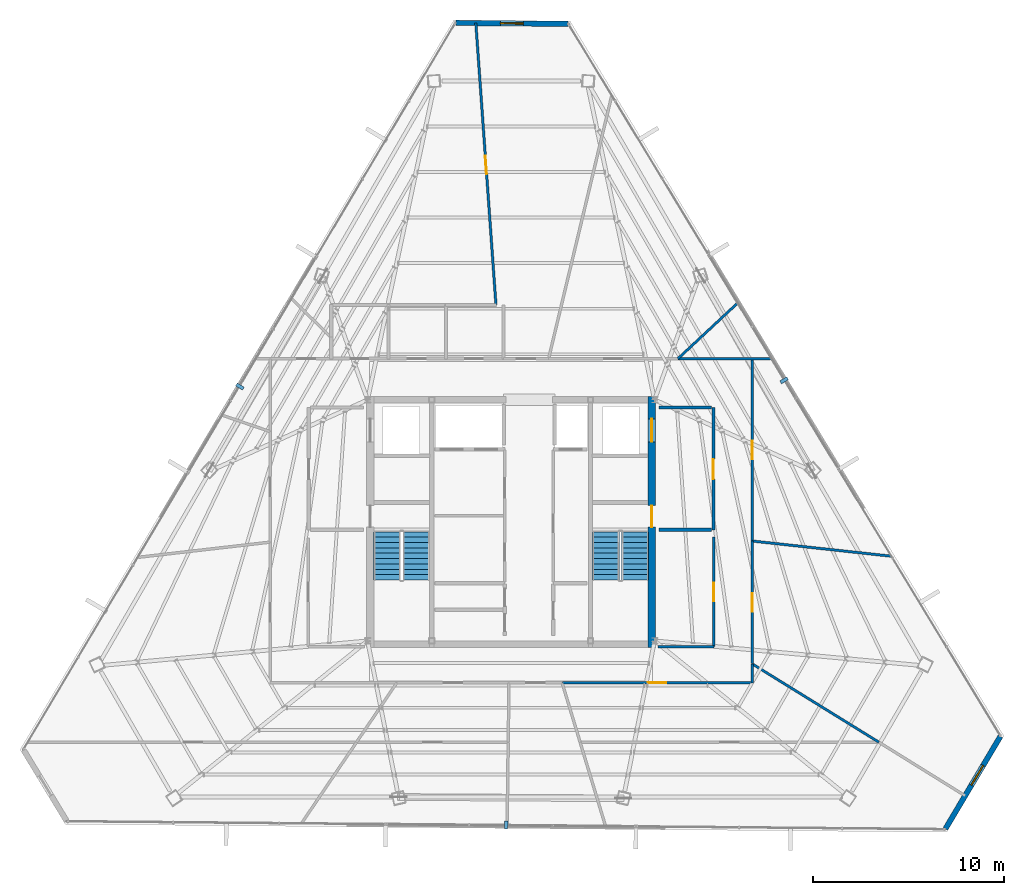
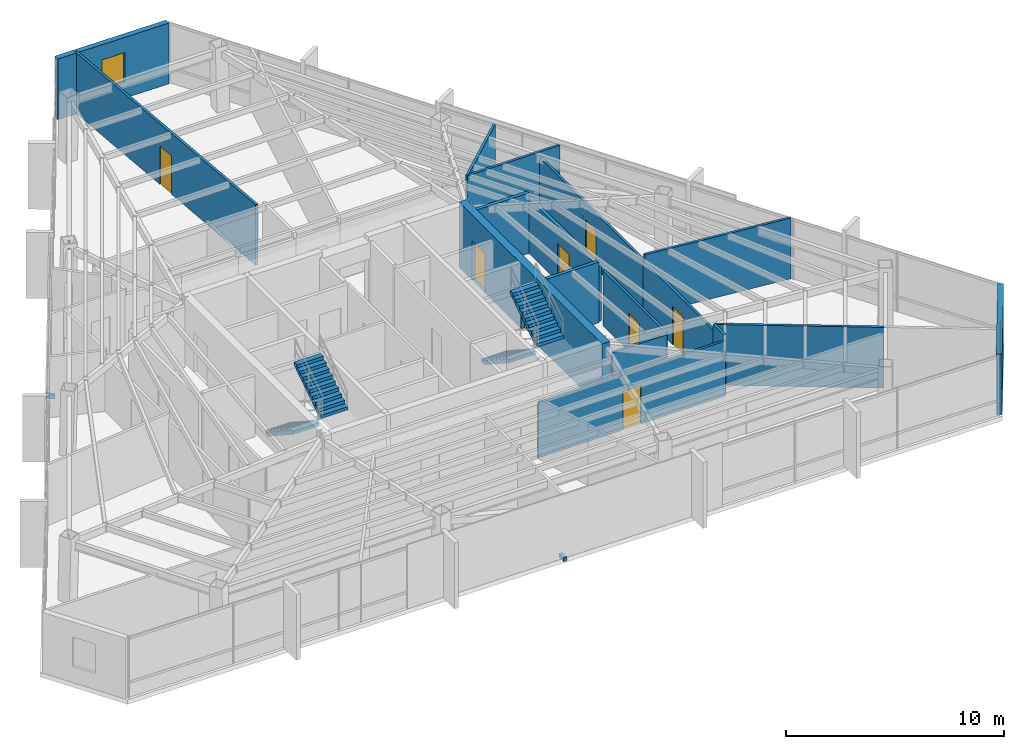
# One storey, part 44 of 47: 17 walls, 8 doors, 4 stair flights, 3 discrete accessories, 2 windows, 10 openings, 2 elements without a shape of their own.
"""IFC4 building model written with IfcOpenShell, lengths in metres."""

from ifc_helpers import new_model, si_unit, direction, frame, frame_2d, origin, origin_2d, place, context, subcontext, project, spatial, polyline, rectangle, outline, extrude, source, transform, mapped, material, layer, layer_set, type_object, type_shapes, element, fill, aggregate, save


model = new_model("IFC4")

# Units and contexts
model_context = context("Model", 3, precision=1e-05, world=origin(), true_north=direction((0.0, 1.0)))
body_context = subcontext(model_context, "Body", "Model", "MODEL_VIEW")
ifc_project = project(units=[si_unit("LENGTHUNIT", "METRE"), si_unit("AREAUNIT", "SQUARE_METRE"), si_unit("VOLUMEUNIT", "CUBIC_METRE"), si_unit("PLANEANGLEUNIT", "RADIAN"), si_unit("MASSUNIT", "GRAM", prefix="KILO")], contexts=[model_context])

# Site, building, storey
site_placement = place(None, origin())
site = spatial("IfcSite", under=ifc_project, at=site_placement, CompositionType="ELEMENT")
building_placement = place(site_placement, origin())
building = spatial("IfcBuilding", under=site, at=building_placement, Name="Caelisora Broadcast Tower", CompositionType="ELEMENT")
storey_placement = place(building_placement, frame((0.0, 0.0, 248.10009765625)))
storey = spatial("IfcBuildingStorey", under=building, at=storey_placement, Name="L65", CompositionType="ELEMENT", Elevation=248.10009765625)

# Wall, openings, doors
ifc_material_1 = material(Name="Concrete 40 MPa (AS 3600 N40)", Category="concrete")
ifc_layer_1 = layer(ifc_material_1, 0.39990234375, Name="Concrete 40 MPa (AS 3600 N40)")
ifc_layer_set_1 = layer_set([ifc_layer_1], Name="Concrete 40 MPa (AS 3600 N40)")
wall_type_1 = type_object("IfcWallType", Name="CW3", PredefinedType="SHEAR", material=ifc_layer_set_1)
wall_1_placement = place(storey_placement, frame((45.360107421875, 17.050048828125, 0.0), z_axis=(0.0, 0.0, 1.0), x_axis=(0.0, 1.0, 0.0)))
wall_1 = element("IfcWall", 1, at=wall_1_placement, inside=storey, type_object=wall_type_1, Name="L65 core shear wall CW3", PredefinedType="SHEAR", context=body_context, shape_type="SweptSolid", body=[
    extrude(rectangle(XDim=13.125, YDim=0.39990234375, at=frame_2d((6.5625, 0.0))), origin(), (0.0, 0.0, 1.0), 3.64990234375),
])
opening_1_placement = place(wall_1_placement, frame((6.300048828125, 0.0, 0.0)))
opening_1 = element("IfcOpeningElement", 2, at=opening_1_placement, cuts=wall_1, Name="Opening FD04", PredefinedType="OPENING", context=body_context, shape_type="SweptSolid", body=[
    extrude(rectangle(XDim=1.1201171875, YDim=2.14990234375, at=frame_2d((0.56005859375, 1.074951171875))), frame((0.0, 0.2119140625, 0.0), z_axis=(0.0, -1.0, 0.0), x_axis=(1.0, 0.0, 0.0)), (0.0, 0.0, 1.0), 0.423828125),
])
opening_2_placement = place(wall_1_placement, frame((10.75, 0.0, 0.0)))
opening_2 = element("IfcOpeningElement", 3, at=opening_2_placement, cuts=wall_1, Name="Opening LD04", PredefinedType="OPENING", context=body_context, shape_type="SweptSolid", body=[
    extrude(rectangle(XDim=1.199951171875, YDim=2.199951171875, at=frame_2d((0.60009765625, 1.10009765625))), frame((0.0, 0.2119140625, 0.0), z_axis=(0.0, -1.0, 0.0), x_axis=(1.0, 0.0, 0.0)), (0.0, 0.0, 1.0), 0.423828125),
])
ifc_material_2 = material(Name="Pressurised Fire-Isolated Stair Door", Category="steel")
door_type_1 = type_object("IfcDoorType", Name="FD04", OperationType="NOTDEFINED", PredefinedType="DOOR", material=ifc_material_2)
door_1_placement = place(opening_1_placement, origin())
door_1 = element("IfcDoor", 4, at=door_1_placement, inside=storey, type_object=door_type_1, Name="L65 door FD04 (L65-DR-ST2)", OperationType="SINGLE_SWING_RIGHT", OverallHeight=2.14990234375, OverallWidth=1.1201171875, PredefinedType="DOOR", context=body_context, shape_type="SweptSolid", body=[
    extrude(rectangle(XDim=1.1201171875, YDim=2.14990234375, at=frame_2d((0.56005859375, 1.074951171875))), frame((0.0, 0.02490234375, 0.0), z_axis=(0.0, -1.0, 0.0), x_axis=(1.0, 0.0, 0.0)), (0.0, 0.0, 1.0), 0.050048828125),
])
fill(opening_1, door_1)
ifc_material_3 = material(Name="Emergency Firefighting Lift Sliding Landing Door", Category="steel")
door_type_2 = type_object("IfcDoorType", Name="LD04", OperationType="NOTDEFINED", PredefinedType="DOOR", material=ifc_material_3)
door_2_placement = place(opening_2_placement, origin())
door_2 = element("IfcDoor", 5, at=door_2_placement, inside=storey, type_object=door_type_2, Name="L65 door LD04 (L65-LD-FFL2)", OperationType="SLIDING_TO_RIGHT", OverallHeight=2.199951171875, OverallWidth=1.199951171875, PredefinedType="DOOR", context=body_context, shape_type="SweptSolid", body=[
    extrude(rectangle(XDim=1.199951171875, YDim=2.199951171875, at=frame_2d((0.60009765625, 1.10009765625))), frame((0.0, 0.02490234375, 0.0), z_axis=(0.0, -1.0, 0.0), x_axis=(1.0, 0.0, 0.0)), (0.0, 0.0, 1.0), 0.050048828125),
])
fill(opening_2, door_2)

# Wall, opening, window
ifc_material_4 = material(Name="Insulated Terracotta Spandrel Wall System", Category="masonry")
ifc_layer_2 = layer(ifc_material_4, 0.280029296875, Name="Insulated Terracotta Spandrel Wall System")
ifc_layer_set_2 = layer_set([ifc_layer_2], Name="Insulated Terracotta Spandrel Wall System")
wall_type_2 = type_object("IfcWallType", Name="EW1", PredefinedType="STANDARD", material=ifc_layer_set_2)
wall_2_placement = place(storey_placement, frame((63.57666015625, 12.401123046875, 0.0), z_axis=(0.0, 0.0, 1.0), x_axis=(-0.511130062467, -0.859503379425, 0.0)))
wall_2 = element("IfcWall", 6, at=wall_2_placement, inside=storey, type_object=wall_type_2, Name="L65 exterior envelope wall EW1", PredefinedType="STANDARD", context=body_context, shape_type="SweptSolid", body=[
    extrude(rectangle(XDim=5.61767578125, YDim=0.280029296875, at=frame_2d((2.808837890625, 0.0))), origin(), (0.0, 0.0, 1.0), 3.39990234375),
])
opening_3_placement = place(wall_2_placement, frame((1.760009765625, 0.0, 0.89990234375)))
opening_3 = element("IfcOpeningElement", 7, at=opening_3_placement, cuts=wall_2, Name="Opening W03", PredefinedType="OPENING", context=body_context, shape_type="SweptSolid", body=[
    extrude(rectangle(XDim=1.199951171875, YDim=1.64990234375, at=frame_2d((0.60009765625, 0.824951171875))), frame((0.0, 0.152099609375, 0.0), z_axis=(0.0, -1.0, 0.0), x_axis=(1.0, 0.0, 0.0)), (0.0, 0.0, 1.0), 0.303955078125),
])
ifc_material_5 = material(Name="Double Glazed Corner Vision Window", Category="glass")
window_type = type_object("IfcWindowType", Name="W03", PartitioningType="SINGLE_PANEL", PredefinedType="WINDOW", material=ifc_material_5)
window_1_placement = place(opening_3_placement, origin())
window_1 = element("IfcWindow", 8, at=window_1_placement, inside=storey, type_object=window_type, Name="L65 window W03 (L65-WN-CH0)", OverallHeight=1.64990234375, OverallWidth=1.199951171875, PartitioningType="SINGLE_PANEL", PredefinedType="WINDOW", context=body_context, shape_type="SweptSolid", body=[
    extrude(rectangle(XDim=1.199951171875, YDim=1.64990234375, at=frame_2d((0.60009765625, 0.824951171875))), frame((0.0, 0.030029296875, 0.0), z_axis=(0.0, -1.0, 0.0), x_axis=(1.0, 0.0, 0.0)), (0.0, 0.0, 1.0), 0.06005859375),
])
fill(opening_3, window_1)

wall_3_placement = place(storey_placement, frame((35.123046875, 49.70361328125, 0.0), z_axis=(0.0, 0.0, 1.0), x_axis=(0.999960106081, -0.008932314676, 0.0)))
wall_3 = element("IfcWall", 9, at=wall_3_placement, inside=storey, type_object=wall_type_2, Name="L65 exterior envelope wall EW1", PredefinedType="STANDARD", context=body_context, shape_type="SweptSolid", body=[
    extrude(rectangle(XDim=5.84912109375, YDim=0.280029296875, at=frame_2d((2.924560546875, 0.0))), origin(), (0.0, 0.0, 1.0), 3.39990234375),
])
opening_4_placement = place(wall_3_placement, frame((2.320068359375, 0.0, 0.89990234375)))
opening_4 = element("IfcOpeningElement", 10, at=opening_4_placement, cuts=wall_3, Name="Opening W03", PredefinedType="OPENING", context=body_context, shape_type="SweptSolid", body=[
    extrude(rectangle(XDim=1.199951171875, YDim=1.64990234375, at=frame_2d((0.60009765625, 0.824951171875))), frame((0.0, 0.152099609375, 0.0), z_axis=(0.0, -1.0, 0.0), x_axis=(1.0, 0.0, 0.0)), (0.0, 0.0, 1.0), 0.303955078125),
])
window_2_placement = place(opening_4_placement, origin())
window_2 = element("IfcWindow", 11, at=window_2_placement, inside=storey, type_object=window_type, Name="L65 window W03 (L65-WN-CH8)", OverallHeight=1.64990234375, OverallWidth=1.199951171875, PartitioningType="SINGLE_PANEL", PredefinedType="WINDOW", context=body_context, shape_type="SweptSolid", body=[
    extrude(rectangle(XDim=1.199951171875, YDim=1.64990234375, at=frame_2d((0.60009765625, 0.824951171875))), frame((0.0, 0.030029296875, 0.0), z_axis=(0.0, -1.0, 0.0), x_axis=(1.0, 0.0, 0.0)), (0.0, 0.0, 1.0), 0.06005859375),
])
fill(opening_4, window_2)

# Wall, opening, door
ifc_material_6 = material(Name="Fire-Rated Gypsum Shaft and Compartment Wall", Category="gypsum")
ifc_layer_3 = layer(ifc_material_6, 0.179931640625, Name="Fire-Rated Gypsum Shaft and Compartment Wall")
ifc_layer_set_3 = layer_set([ifc_layer_3], Name="Fire-Rated Gypsum Shaft and Compartment Wall")
wall_type_3 = type_object("IfcWallType", Name="PW2", PredefinedType="PARTITIONING", material=ifc_layer_set_3)
wall_4_placement = place(storey_placement, frame((48.580078125, 23.199951171875, 0.0), z_axis=(0.0, 0.0, 1.0), x_axis=(0.0, 1.0, 0.0)))
wall_4 = element("IfcWall", 12, at=wall_4_placement, inside=storey, type_object=wall_type_3, Name="L65 fire compartment wall PW2", PredefinedType="PARTITIONING", context=body_context, shape_type="SweptSolid", body=[
    extrude(rectangle(XDim=6.400146484375, YDim=0.179931640625, at=frame_2d((3.2001953125, 0.0))), origin(), (0.0, 0.0, 1.0), 3.0849609375),
])
opening_5_placement = place(wall_4_placement, frame((2.64990234375, 0.0, 0.0)))
opening_5 = element("IfcOpeningElement", 13, at=opening_5_placement, cuts=wall_4, Name="Opening FD02", PredefinedType="OPENING", context=body_context, shape_type="SweptSolid", body=[
    extrude(rectangle(XDim=1.050048828125, YDim=2.14990234375, at=frame_2d((0.52490234375, 1.074951171875))), frame((0.0, 0.10205078125, 0.0), z_axis=(0.0, -1.0, 0.0), x_axis=(1.0, 0.0, 0.0)), (0.0, 0.0, 1.0), 0.203857421875),
])
ifc_material_7 = material(Name="Single-Leaf Steel Fire Lobby Door", Category="steel")
door_type_3 = type_object("IfcDoorType", Name="FD02", OperationType="NOTDEFINED", PredefinedType="DOOR", material=ifc_material_7)
door_3_placement = place(opening_5_placement, origin())
door_3 = element("IfcDoor", 14, at=door_3_placement, inside=storey, type_object=door_type_3, Name="L65 door FD02 (L65-DR-P04D1)", OperationType="SINGLE_SWING_LEFT", OverallHeight=2.14990234375, OverallWidth=1.050048828125, PredefinedType="DOOR", context=body_context, shape_type="SweptSolid", body=[
    extrude(rectangle(XDim=1.050048828125, YDim=2.14990234375, at=frame_2d((0.52490234375, 1.074951171875))), frame((0.0, 0.02490234375, 0.0), z_axis=(0.0, -1.0, 0.0), x_axis=(1.0, 0.0, 0.0)), (0.0, 0.0, 1.0), 0.050048828125),
])
fill(opening_5, door_3)

# Walls
for number, where, z_axis, x_axis, name in (
    (15, (45.719970703125, 23.199951171875, 0.0), (0.0, 0.0, 1.0), (1.0, 0.0, 0.0), "L65 fire compartment wall PW2"),
    (16, (45.719970703125, 29.60009765625, 0.0), (0.0, 0.0, 1.0), (1.0, 0.0, 0.0), "L65 fire compartment wall PW2"),
):
    element("IfcWall", number, at=place(storey_placement, frame(where, z_axis=z_axis, x_axis=x_axis)), inside=storey, type_object=wall_type_3, Name=name, PredefinedType="PARTITIONING", context=body_context, shape_type="SweptSolid", body=[
        extrude(rectangle(XDim=2.760009765625, YDim=0.179931640625, at=frame_2d((1.3798828125, 0.0))), origin(), (0.0, 0.0, 1.0), 3.39990234375),
    ])

# Wall, opening, door
ifc_material_8 = material(Name="Acoustic Steel-Stud Plasterboard Partition", Category="gypsum")
ifc_layer_4 = layer(ifc_material_8, 0.1298828125, Name="Acoustic Steel-Stud Plasterboard Partition")
ifc_layer_set_4 = layer_set([ifc_layer_4], Name="Acoustic Steel-Stud Plasterboard Partition")
wall_type_4 = type_object("IfcWallType", Name="PW3", PredefinedType="PARTITIONING", material=ifc_layer_set_4)
wall_5_placement = place(storey_placement, frame((36.156494140625, 49.69970703125, 0.0), z_axis=(0.0, 0.0, 1.0), x_axis=(0.071265829402, -0.997457358266, 0.0)))
wall_5 = element("IfcWall", 17, at=wall_5_placement, inside=storey, type_object=wall_type_4, Name="L65 internal partition PW3", PredefinedType="PARTITIONING", context=body_context, shape_type="SweptSolid", body=[
    extrude(rectangle(XDim=14.7822265625, YDim=0.1298828125, at=frame_2d((7.39111328125, 0.0))), origin(), (0.0, 0.0, 1.0), 3.39990234375),
])
opening_6_placement = place(wall_5_placement, frame((6.9560546875, 0.0, 0.0)))
opening_6 = element("IfcOpeningElement", 18, at=opening_6_placement, cuts=wall_5, Name="Opening D01", PredefinedType="OPENING", context=body_context, shape_type="SweptSolid", body=[
    extrude(rectangle(XDim=0.9599609375, YDim=2.14990234375, at=frame_2d((0.47998046875, 1.074951171875))), frame((0.0, 0.076904296875, 0.0), z_axis=(0.0, -1.0, 0.0), x_axis=(1.0, 0.0, 0.0)), (0.0, 0.0, 1.0), 0.15380859375),
])
ifc_material_9 = material(Name="Solid-Core Timber Acoustic Office Door", Category="wood")
door_type_4 = type_object("IfcDoorType", Name="D01", OperationType="NOTDEFINED", PredefinedType="DOOR", material=ifc_material_9)
door_4_placement = place(opening_6_placement, origin())
door_4 = element("IfcDoor", 19, at=door_4_placement, inside=storey, type_object=door_type_4, Name="L65 door D01 (L65-DR-P30D1)", OperationType="SINGLE_SWING_LEFT", OverallHeight=2.14990234375, OverallWidth=0.9599609375, PredefinedType="DOOR", context=body_context, shape_type="SweptSolid", body=[
    extrude(rectangle(XDim=0.9599609375, YDim=2.14990234375, at=frame_2d((0.47998046875, 1.074951171875))), frame((0.0, 0.02490234375, 0.0), z_axis=(0.0, -1.0, 0.0), x_axis=(1.0, 0.0, 0.0)), (0.0, 0.0, 1.0), 0.050048828125),
])
fill(opening_6, door_4)

wall_6_placement = place(storey_placement, frame((40.675048828125, 15.199951171875, 0.0), z_axis=(0.0, 0.0, 1.0), x_axis=(1.0, 0.0, 0.0)))
wall_6 = element("IfcWall", 20, at=wall_6_placement, inside=storey, type_object=wall_type_4, Name="L65 internal partition PW3", PredefinedType="PARTITIONING", context=body_context, shape_type="SweptSolid", body=[
    extrude(rectangle(XDim=9.919921875, YDim=0.1298828125, at=frame_2d((4.9599609375, 0.0))), origin(), (0.0, 0.0, 1.0), 3.0849609375),
])
opening_7_placement = place(wall_6_placement, frame((4.47998046875, 0.0, 0.0)))
opening_7 = element("IfcOpeningElement", 21, at=opening_7_placement, cuts=wall_6, Name="Opening D01", PredefinedType="OPENING", context=body_context, shape_type="SweptSolid", body=[
    extrude(rectangle(XDim=0.9599609375, YDim=2.14990234375, at=frame_2d((0.47998046875, 1.074951171875))), frame((0.0, 0.076904296875, 0.0), z_axis=(0.0, -1.0, 0.0), x_axis=(1.0, 0.0, 0.0)), (0.0, 0.0, 1.0), 0.15380859375),
])
door_5_placement = place(opening_7_placement, origin())
door_5 = element("IfcDoor", 22, at=door_5_placement, inside=storey, type_object=door_type_4, Name="L65 door D01 (L65-DR-P33D1)", OperationType="SINGLE_SWING_RIGHT", OverallHeight=2.14990234375, OverallWidth=0.9599609375, PredefinedType="DOOR", context=body_context, shape_type="SweptSolid", body=[
    extrude(rectangle(XDim=0.9599609375, YDim=2.14990234375, at=frame_2d((0.47998046875, 1.074951171875))), frame((0.0, 0.02490234375, 0.0), z_axis=(0.0, -1.0, 0.0), x_axis=(1.0, 0.0, 0.0)), (0.0, 0.0, 1.0), 0.050048828125),
])
fill(opening_7, door_5)

wall_7_placement = place(storey_placement, frame((50.60009765625, 22.625, 0.0), z_axis=(0.0, 0.0, 1.0), x_axis=(0.0, 1.0, 0.0)))
wall_7 = element("IfcWall", 23, at=wall_7_placement, inside=storey, type_object=wall_type_4, Name="L65 internal partition PW3", PredefinedType="PARTITIONING", context=body_context, shape_type="SweptSolid", body=[
    extrude(rectangle(XDim=9.52001953125, YDim=0.1298828125, at=frame_2d((4.760009765625, 0.0))), origin(), (0.0, 0.0, 1.0), 3.0849609375),
])
opening_8_placement = place(wall_7_placement, frame((4.280029296875, 0.0, 0.0)))
opening_8 = element("IfcOpeningElement", 24, at=opening_8_placement, cuts=wall_7, Name="Opening D01", PredefinedType="OPENING", context=body_context, shape_type="SweptSolid", body=[
    extrude(rectangle(XDim=0.9599609375, YDim=2.14990234375, at=frame_2d((0.47998046875, 1.074951171875))), frame((0.0, 0.076904296875, 0.0), z_axis=(0.0, -1.0, 0.0), x_axis=(1.0, 0.0, 0.0)), (0.0, 0.0, 1.0), 0.15380859375),
])
door_6_placement = place(opening_8_placement, origin())
door_6 = element("IfcDoor", 25, at=door_6_placement, inside=storey, type_object=door_type_4, Name="L65 door D01 (L65-DR-P34D1)", OperationType="SINGLE_SWING_LEFT", OverallHeight=2.14990234375, OverallWidth=0.9599609375, PredefinedType="DOOR", context=body_context, shape_type="SweptSolid", body=[
    extrude(rectangle(XDim=0.9599609375, YDim=2.14990234375, at=frame_2d((0.47998046875, 1.074951171875))), frame((0.0, 0.02490234375, 0.0), z_axis=(0.0, -1.0, 0.0), x_axis=(1.0, 0.0, 0.0)), (0.0, 0.0, 1.0), 0.050048828125),
])
fill(opening_8, door_6)

# Walls
wall_8_placement = place(storey_placement, frame((50.60400390625, 16.197021484375, 0.0), z_axis=(0.0, 0.0, 1.0), x_axis=(0.850574423126, -0.525854685939, 0.0)))
element("IfcWall", 26, at=wall_8_placement, inside=storey, type_object=wall_type_4, Name="L65 internal partition PW3", PredefinedType="PARTITIONING", context=body_context, shape_type="SweptSolid", body=[
    extrude(rectangle(XDim=7.785400390625, YDim=0.1298828125, at=frame_2d((3.892578125, 0.0))), origin(), (0.0, 0.0, 1.0), 3.39990234375),
])
wall_9_placement = place(storey_placement, frame((50.60498046875, 22.618896484375, 0.0), z_axis=(0.0, 0.0, 1.0), x_axis=(0.994087813904, -0.108579087526, 0.0)))
element("IfcWall", 27, at=wall_9_placement, inside=storey, type_object=wall_type_4, Name="L65 internal partition PW3", PredefinedType="PARTITIONING", context=body_context, shape_type="SweptSolid", body=[
    extrude(rectangle(XDim=7.334716796875, YDim=0.1298828125, at=frame_2d((3.66748046875, 0.0))), origin(), (0.0, 0.0, 1.0), 3.39990234375),
])

# Wall, opening, door
wall_10_placement = place(storey_placement, frame((50.60009765625, 16.205078125, 0.0), z_axis=(0.0, 0.0, 1.0), x_axis=(0.0, 1.0, 0.0)))
wall_10 = element("IfcWall", 28, at=wall_10_placement, inside=storey, type_object=wall_type_4, Name="L65 internal partition PW3", PredefinedType="PARTITIONING", context=body_context, shape_type="SweptSolid", body=[
    extrude(rectangle(XDim=6.409912109375, YDim=0.1298828125, at=frame_2d((3.205078125, 0.0))), origin(), (0.0, 0.0, 1.0), 3.0849609375),
])
opening_9_placement = place(wall_10_placement, frame((2.72509765625, 0.0, 0.0)))
opening_9 = element("IfcOpeningElement", 29, at=opening_9_placement, cuts=wall_10, Name="Opening D01", PredefinedType="OPENING", context=body_context, shape_type="SweptSolid", body=[
    extrude(rectangle(XDim=0.9599609375, YDim=2.14990234375, at=frame_2d((0.47998046875, 1.074951171875))), frame((0.0, 0.076904296875, 0.0), z_axis=(0.0, -1.0, 0.0), x_axis=(1.0, 0.0, 0.0)), (0.0, 0.0, 1.0), 0.15380859375),
])
door_7_placement = place(opening_9_placement, origin())
door_7 = element("IfcDoor", 30, at=door_7_placement, inside=storey, type_object=door_type_4, Name="L65 door D01 (L65-DR-P43D1)", OperationType="SINGLE_SWING_LEFT", OverallHeight=2.14990234375, OverallWidth=0.9599609375, PredefinedType="DOOR", context=body_context, shape_type="SweptSolid", body=[
    extrude(rectangle(XDim=0.9599609375, YDim=2.14990234375, at=frame_2d((0.47998046875, 1.074951171875))), frame((0.0, 0.02490234375, 0.0), z_axis=(0.0, -1.0, 0.0), x_axis=(1.0, 0.0, 0.0)), (0.0, 0.0, 1.0), 0.050048828125),
])
fill(opening_9, door_7)

wall_11_placement = place(storey_placement, frame((48.60009765625, 17.10498046875, 0.0), z_axis=(0.0, 0.0, 1.0), x_axis=(0.0, 1.0, 0.0)))
wall_11 = element("IfcWall", 31, at=wall_11_placement, inside=storey, type_object=wall_type_4, Name="L65 internal partition PW3", PredefinedType="PARTITIONING", context=body_context, shape_type="SweptSolid", body=[
    extrude(rectangle(XDim=5.715087890625, YDim=0.1298828125, at=frame_2d((2.857421875, 0.0))), origin(), (0.0, 0.0, 1.0), 3.0849609375),
])
opening_10_placement = place(wall_11_placement, frame((2.376953125, 0.0, 0.0)))
opening_10 = element("IfcOpeningElement", 32, at=opening_10_placement, cuts=wall_11, Name="Opening D01", PredefinedType="OPENING", context=body_context, shape_type="SweptSolid", body=[
    extrude(rectangle(XDim=0.9599609375, YDim=2.14990234375, at=frame_2d((0.47998046875, 1.074951171875))), frame((0.0, 0.076904296875, 0.0), z_axis=(0.0, -1.0, 0.0), x_axis=(1.0, 0.0, 0.0)), (0.0, 0.0, 1.0), 0.15380859375),
])
door_8_placement = place(opening_10_placement, origin())
door_8 = element("IfcDoor", 33, at=door_8_placement, inside=storey, type_object=door_type_4, Name="L65 door D01 (L65-DR-P46D1)", OperationType="SINGLE_SWING_RIGHT", OverallHeight=2.14990234375, OverallWidth=0.9599609375, PredefinedType="DOOR", context=body_context, shape_type="SweptSolid", body=[
    extrude(rectangle(XDim=0.9599609375, YDim=2.14990234375, at=frame_2d((0.47998046875, 1.074951171875))), frame((0.0, 0.02490234375, 0.0), z_axis=(0.0, -1.0, 0.0), x_axis=(1.0, 0.0, 0.0)), (0.0, 0.0, 1.0), 0.050048828125),
])
fill(opening_10, door_8)

# Walls
wall_12_placement = place(storey_placement, frame((46.72412109375, 32.153076171875, 0.0), z_axis=(0.0, 0.0, 1.0), x_axis=(0.731646749797, 0.681683968941, 0.0)))
element("IfcWall", 34, at=wall_12_placement, inside=storey, type_object=wall_type_4, Name="L65 internal partition PW3", PredefinedType="PARTITIONING", context=body_context, shape_type="SweptSolid", body=[
    extrude(rectangle(XDim=4.280517578125, YDim=0.1298828125, at=frame_2d((2.14013671875, 0.0))), origin(), (0.0, 0.0, 1.0), 3.39990234375),
])
wall_13_placement = place(storey_placement, frame((51.602783203125, 32.14990234375, 0.0), z_axis=(0.0, 0.0, 1.0), x_axis=(-1.0, 0.0, 0.0)))
element("IfcWall", 35, at=wall_13_placement, inside=storey, type_object=wall_type_4, Name="L65 internal partition PW3", PredefinedType="PARTITIONING", context=body_context, shape_type="SweptSolid", body=[
    extrude(rectangle(XDim=4.877685546875, YDim=0.1298828125, at=frame_2d((2.43896484375, 0.0))), origin(), (0.0, 0.0, 1.0), 3.39990234375),
])
wall_14_placement = place(storey_placement, frame((45.675048828125, 17.10009765625, 0.0), z_axis=(0.0, 0.0, 1.0), x_axis=(1.0, 0.0, 0.0)))
element("IfcWall", 36, at=wall_14_placement, inside=storey, type_object=wall_type_4, Name="L65 internal partition PW3", PredefinedType="PARTITIONING", context=body_context, shape_type="SweptSolid", body=[
    extrude(rectangle(XDim=2.919921875, YDim=0.1298828125, at=frame_2d((1.4599609375, 0.0))), origin(), (0.0, 0.0, 1.0), 2.98486328125),
])
wall_15_placement = place(storey_placement, frame((50.60009765625, 15.205078125, 0.0), z_axis=(0.0, 0.0, 1.0), x_axis=(0.0, 1.0, 0.0)))
element("IfcWall", 37, at=wall_15_placement, inside=storey, type_object=wall_type_4, Name="L65 internal partition PW3", PredefinedType="PARTITIONING", context=body_context, shape_type="SweptSolid", body=[
    extrude(rectangle(XDim=0.989990234375, YDim=0.1298828125, at=frame_2d((0.4951171875, 0.0))), origin(), (0.0, 0.0, 1.0), 3.39990234375),
])

# Stair, stair flights
stair_type_1 = type_object("IfcStairType", Name="ST-1", PredefinedType="HALF_TURN_STAIR", material=ifc_material_1)
stair_1_placement = place(storey_placement, origin())
stair_1 = element("IfcStair", 38, at=stair_1_placement, inside=storey, type_object=stair_type_1, Name="L65 West Fire-Isolated Tower Stair", PredefinedType="HALF_TURN_STAIR")
stair_flight_type = type_object("IfcStairFlightType", Name="STF-4", PredefinedType="STRAIGHT", material=ifc_material_1)
stair_flight_1_placement = place(storey_placement, frame((31.52001953125, 23.10009765625, 0.0), z_axis=(0.0, 0.0, 1.0), x_axis=(0.0, -1.0, 0.0)))
stair_flight_1 = element("IfcStairFlight", 39, at=stair_flight_1_placement, type_object=stair_flight_type, Name="ST-1 flight 1", NumberOfRisers=10, NumberOfTreads=9, PredefinedType="STRAIGHT", RiserHeight=0.1825, TreadLength=0.28, context=body_context, shape_type="SweptSolid", body=[
    extrude(outline(polyline([(0.0, 0.0), (0.0, 0.1826171875), (0.280029296875, 0.1826171875), (0.280029296875, 0.364990234375), (0.56005859375, 0.364990234375), (0.56005859375, 0.547607421875), (0.840087890625, 0.547607421875), (0.840087890625, 0.72998046875), (1.1201171875, 0.72998046875), (1.1201171875, 0.91259765625), (1.39990234375, 0.91259765625), (1.39990234375, 1.094970703125), (1.679931640625, 1.094970703125), (1.679931640625, 1.277587890625), (1.9599609375, 1.277587890625), (1.9599609375, 1.4599609375), (2.239990234375, 1.4599609375), (2.239990234375, 1.642578125), (2.52001953125, 1.642578125), (2.52001953125, 1.824951171875), (2.52001953125, 1.463623046875), (0.2744140625, 0.0), (0.0, 0.0)])), frame((0.0, 0.699951171875, 0.0), z_axis=(0.0, -1.0, 0.0), x_axis=(1.0, 0.0, 0.0)), (0.0, 0.0, 1.0), 1.39990234375),
])
stair_flight_2_placement = place(storey_placement, frame((33.0400390625, 20.580078125, 1.824951171875), z_axis=(0.0, 0.0, 1.0), x_axis=(0.0, 1.0, 0.0)))
stair_flight_2 = element("IfcStairFlight", 40, at=stair_flight_2_placement, type_object=stair_flight_type, Name="ST-1 flight 2", NumberOfRisers=10, NumberOfTreads=9, PredefinedType="STRAIGHT", RiserHeight=0.1825, TreadLength=0.28, context=body_context, shape_type="SweptSolid", body=[
    extrude(outline(polyline([(0.0, 0.0), (0.0, 0.1826171875), (0.280029296875, 0.1826171875), (0.280029296875, 0.364990234375), (0.56005859375, 0.364990234375), (0.56005859375, 0.547607421875), (0.840087890625, 0.547607421875), (0.840087890625, 0.72998046875), (1.1201171875, 0.72998046875), (1.1201171875, 0.91259765625), (1.39990234375, 0.91259765625), (1.39990234375, 1.094970703125), (1.679931640625, 1.094970703125), (1.679931640625, 1.277587890625), (1.9599609375, 1.277587890625), (1.9599609375, 1.4599609375), (2.239990234375, 1.4599609375), (2.239990234375, 1.642578125), (2.52001953125, 1.642578125), (2.52001953125, 1.824951171875), (2.52001953125, 1.463623046875), (0.2744140625, 0.0), (0.0, 0.0)])), frame((0.0, 0.699951171875, 0.0), z_axis=(0.0, -1.0, 0.0), x_axis=(1.0, 0.0, 0.0)), (0.0, 0.0, 1.0), 1.39990234375),
])
aggregate(stair_1, [stair_flight_1, stair_flight_2])

stair_type_2 = type_object("IfcStairType", Name="ST-2", PredefinedType="HALF_TURN_STAIR", material=ifc_material_1)
stair_2_placement = place(storey_placement, origin())
stair_2 = element("IfcStair", 41, at=stair_2_placement, inside=storey, type_object=stair_type_2, Name="L65 East Fire-Isolated Tower Stair", PredefinedType="HALF_TURN_STAIR")
stair_flight_3_placement = place(storey_placement, frame((42.9599609375, 23.10009765625, 0.0), z_axis=(0.0, 0.0, 1.0), x_axis=(0.0, -1.0, 0.0)))
stair_flight_3 = element("IfcStairFlight", 42, at=stair_flight_3_placement, type_object=stair_flight_type, Name="ST-2 flight 1", NumberOfRisers=10, NumberOfTreads=9, PredefinedType="STRAIGHT", RiserHeight=0.1825, TreadLength=0.28, context=body_context, shape_type="SweptSolid", body=[
    extrude(outline(polyline([(0.0, 0.0), (0.0, 0.1826171875), (0.280029296875, 0.1826171875), (0.280029296875, 0.364990234375), (0.56005859375, 0.364990234375), (0.56005859375, 0.547607421875), (0.840087890625, 0.547607421875), (0.840087890625, 0.72998046875), (1.1201171875, 0.72998046875), (1.1201171875, 0.91259765625), (1.39990234375, 0.91259765625), (1.39990234375, 1.094970703125), (1.679931640625, 1.094970703125), (1.679931640625, 1.277587890625), (1.9599609375, 1.277587890625), (1.9599609375, 1.4599609375), (2.239990234375, 1.4599609375), (2.239990234375, 1.642578125), (2.52001953125, 1.642578125), (2.52001953125, 1.824951171875), (2.52001953125, 1.463623046875), (0.2744140625, 0.0), (0.0, 0.0)])), frame((0.0, 0.699951171875, 0.0), z_axis=(0.0, -1.0, 0.0), x_axis=(1.0, 0.0, 0.0)), (0.0, 0.0, 1.0), 1.39990234375),
])
stair_flight_4_placement = place(storey_placement, frame((44.47998046875, 20.580078125, 1.824951171875), z_axis=(0.0, 0.0, 1.0), x_axis=(0.0, 1.0, 0.0)))
stair_flight_4 = element("IfcStairFlight", 43, at=stair_flight_4_placement, type_object=stair_flight_type, Name="ST-2 flight 2", NumberOfRisers=10, NumberOfTreads=9, PredefinedType="STRAIGHT", RiserHeight=0.1825, TreadLength=0.28, context=body_context, shape_type="SweptSolid", body=[
    extrude(outline(polyline([(0.0, 0.0), (0.0, 0.1826171875), (0.280029296875, 0.1826171875), (0.280029296875, 0.364990234375), (0.56005859375, 0.364990234375), (0.56005859375, 0.547607421875), (0.840087890625, 0.547607421875), (0.840087890625, 0.72998046875), (1.1201171875, 0.72998046875), (1.1201171875, 0.91259765625), (1.39990234375, 0.91259765625), (1.39990234375, 1.094970703125), (1.679931640625, 1.094970703125), (1.679931640625, 1.277587890625), (1.9599609375, 1.277587890625), (1.9599609375, 1.4599609375), (2.239990234375, 1.4599609375), (2.239990234375, 1.642578125), (2.52001953125, 1.642578125), (2.52001953125, 1.824951171875), (2.52001953125, 1.463623046875), (0.2744140625, 0.0), (0.0, 0.0)])), frame((0.0, 0.699951171875, 0.0), z_axis=(0.0, -1.0, 0.0), x_axis=(1.0, 0.0, 0.0)), (0.0, 0.0, 1.0), 1.39990234375),
])
aggregate(stair_2, [stair_flight_3, stair_flight_4])

# Discrete accessories
ifc_material_10 = material(Name="Steel Grade 350 (AS/NZS 3679.1)", Category="steel")
discrete_accessory_type = type_object("IfcDiscreteAccessoryType", Name="BRK-1", PredefinedType="BRACKET", material=ifc_material_10)
shared_shape = source(origin(), body_context, "Body", "SweptSolid", [
    extrude(rectangle(XDim=0.179931640625, YDim=0.419921875, at=origin_2d()), origin(), (0.0, 0.0, 1.0), 0.219970703125),
])
type_shapes(discrete_accessory_type, [shared_shape])
for number, where, z_axis, x_axis, name in (
    (44, (23.8232421875, 30.69140625, -0.16015625), (0.0, 0.0, 1.0), (-0.510993065504, -0.859584834096, 0.0), "L65 solar screen outrigger bracket #1"),
    (45, (37.736572265625, 7.784423828125, -0.16015625), (0.0, 0.0, 1.0), (0.999958816008, -0.009075587519, 0.0), "L65 solar screen outrigger bracket #2"),
    (46, (52.273193359375, 31.0205078125, -0.16015625), (0.0, 0.0, 1.0), (-0.518773258161, 0.854911870673, 0.0), "L65 solar screen outrigger bracket #3"),
):
    element("IfcDiscreteAccessory", number, at=place(storey_placement, frame(where, z_axis=z_axis, x_axis=x_axis)), inside=storey, type_object=discrete_accessory_type, Name=name, PredefinedType="BRACKET", context=body_context, shape_type="MappedRepresentation", body=[
        mapped(shared_shape, transform((0.0, 0.0, 0.0), scale=1.0)),
    ])

save(model, "model.ifc")
